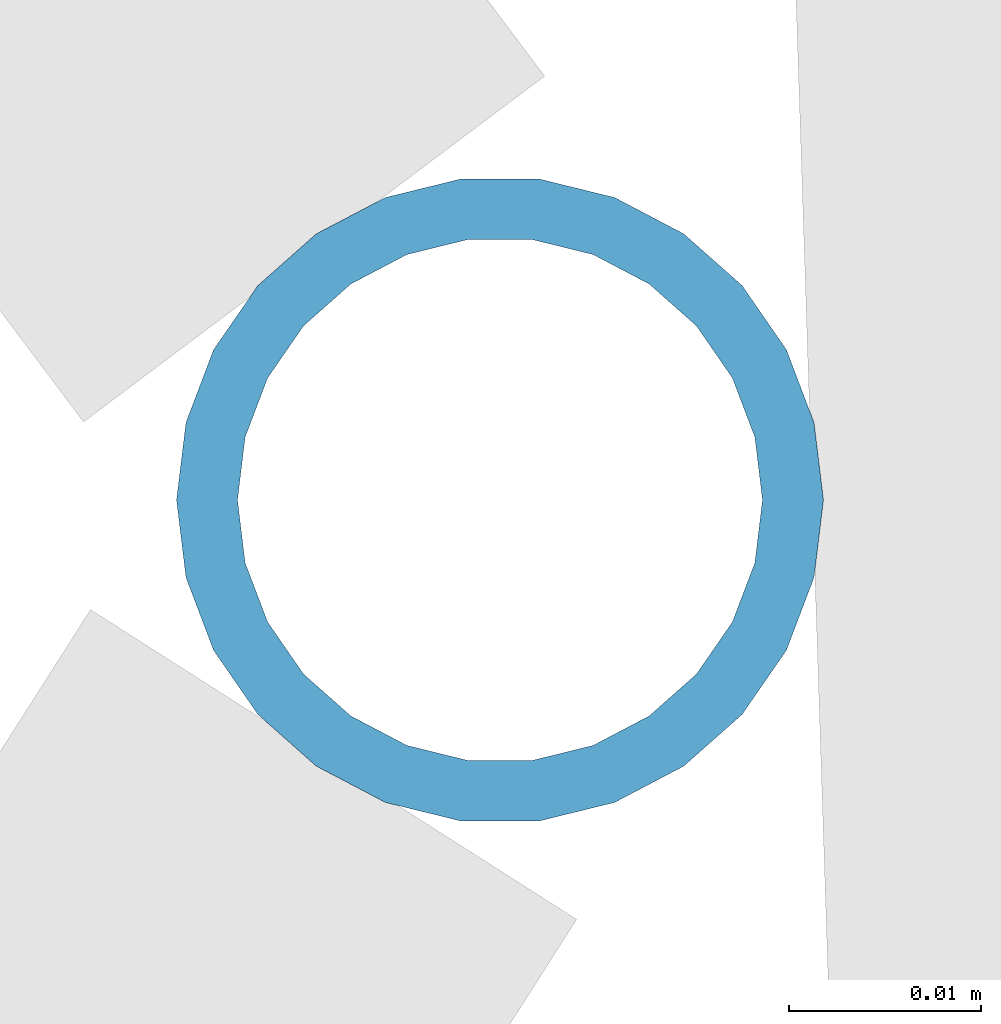
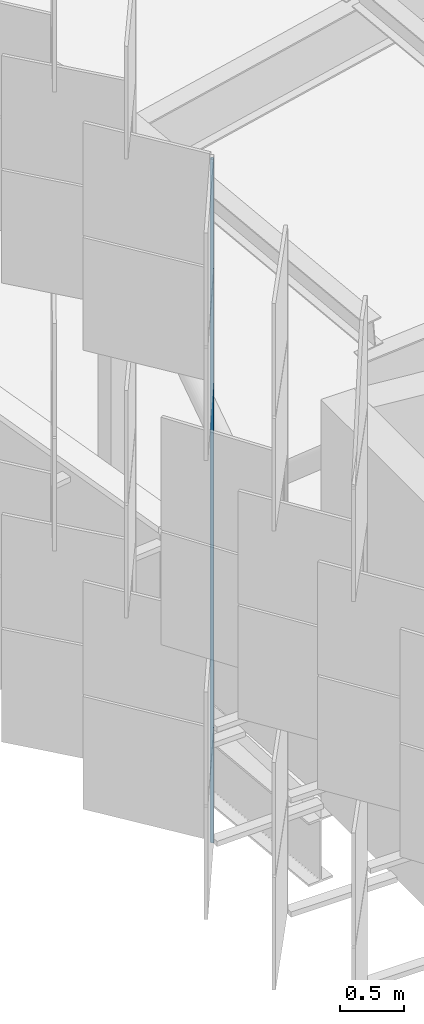
# One storey, part 200 of 483: 1 discrete accessory.
"""IFC4 building model written with IfcOpenShell, lengths in metres."""

from ifc_helpers import new_model, si_unit, direction, frame, origin, origin_2d, place, context, subcontext, project, spatial, hollow_circle, extrude, material, material_profile, profile_set, type_object, element, save


model = new_model("IFC4")

# Units and contexts
model_context = context("Model", 3, precision=1e-05, world=origin(), true_north=direction((0.0, 1.0)))
body_context = subcontext(model_context, "Body", "Model", "MODEL_VIEW")
ifc_project = project(units=[si_unit("LENGTHUNIT", "METRE"), si_unit("AREAUNIT", "SQUARE_METRE"), si_unit("VOLUMEUNIT", "CUBIC_METRE"), si_unit("PLANEANGLEUNIT", "RADIAN"), si_unit("MASSUNIT", "GRAM", prefix="KILO")], contexts=[model_context])

# Site, building, storey
site_placement = place(None, origin())
site = spatial("IfcSite", under=ifc_project, at=site_placement, CompositionType="ELEMENT")
building_placement = place(site_placement, origin())
building = spatial("IfcBuilding", under=site, at=building_placement, Name="Parallax Yard Mobility Hub", CompositionType="ELEMENT")
storey_placement = place(building_placement, frame((0.0, 0.0, 13.199951171875)))
storey = spatial("IfcBuildingStorey", under=building, at=storey_placement, Name="L04", CompositionType="ELEMENT", Elevation=13.199951171875)

# Discrete accessory
ifc_material = material(Name="Steel ASTM A500 Gr C, hot-dip galvanised", Category="steel")
ifc_material_profile = material_profile(ifc_material, hollow_circle(Radius=0.016845703125, WallThickness=0.003173828125, at=origin_2d()), Name="CHS 33.7x3.2")
ifc_profile_set = profile_set([ifc_material_profile], Name="Steel ASTM A500 Gr C, hot-dip galvanised")
discrete_accessory_type = type_object("IfcDiscreteAccessoryType", Name="Hinge post CHS 33.7x3.2", PredefinedType="BRACKET", material=ifc_profile_set)
discrete_accessory_placement = place(storey_placement, frame((194.000244140625, 89.976806640625, 0.0), z_axis=(0.0, 0.0, 1.0), x_axis=(1.0, 0.0, 0.0)))
element("IfcDiscreteAccessory", 1, at=discrete_accessory_placement, inside=storey, type_object=discrete_accessory_type, Name="Hinge post bay 23.1 level L04", PredefinedType="BRACKET", context=body_context, shape_type="SweptSolid", body=[
    extrude(hollow_circle(Radius=0.016845703125, WallThickness=0.003173828125, at=origin_2d()), origin(), (0.0, 0.0, 1.0), 6.550048828125),
])

save(model, "model.ifc")
